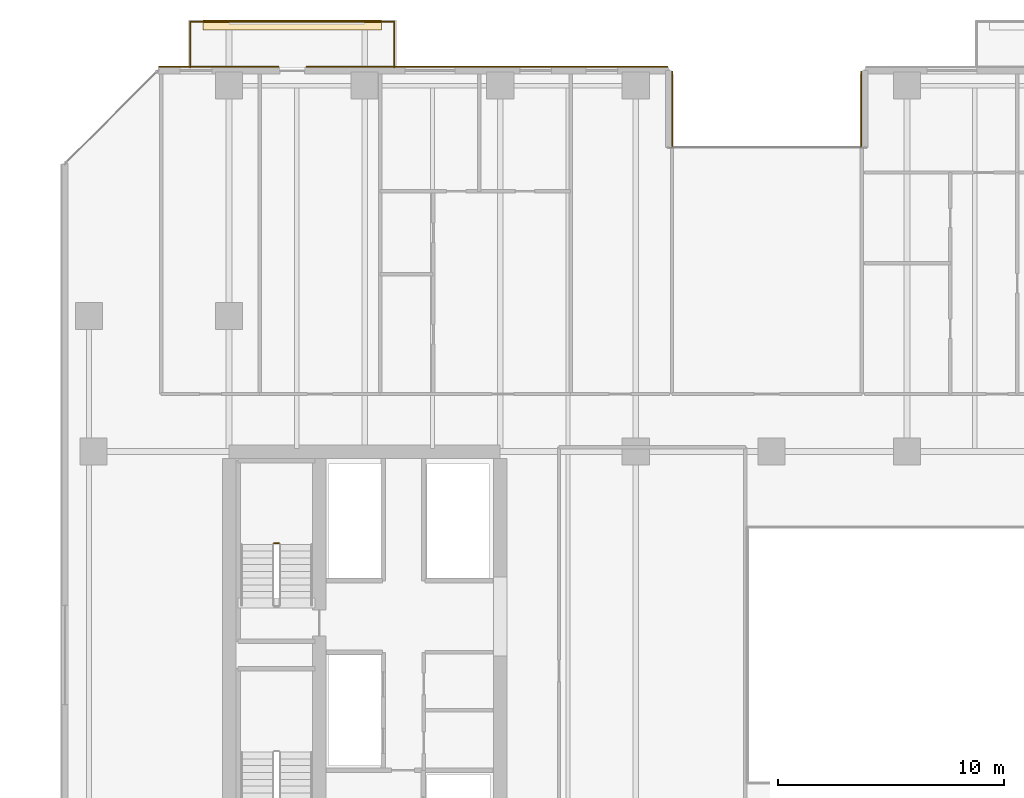
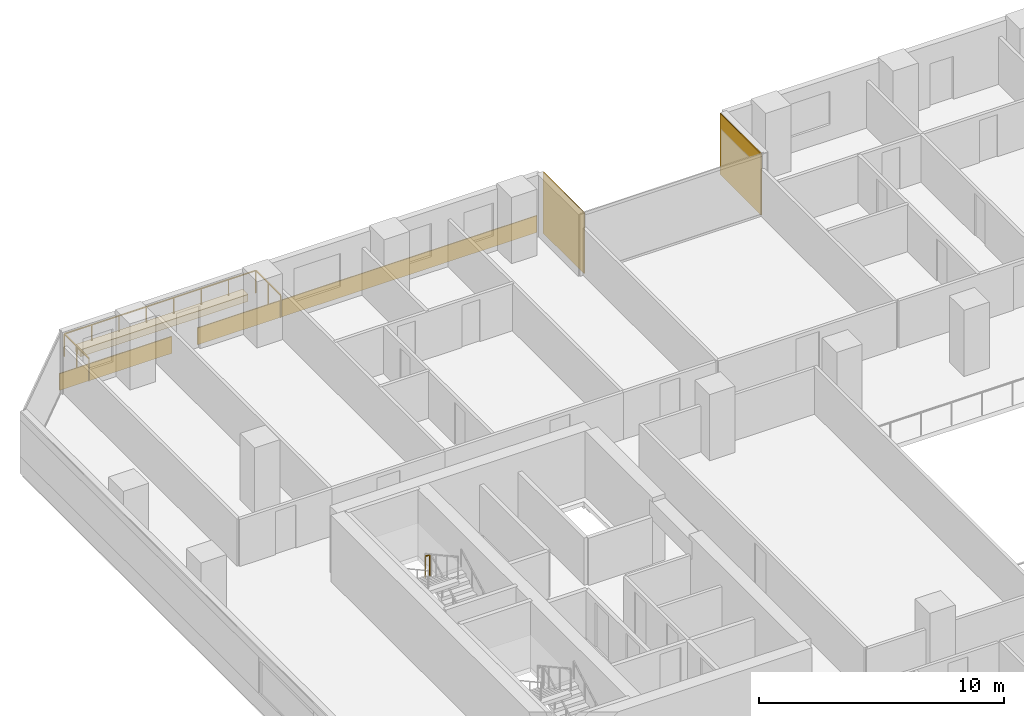
# One storey, part 29 of 33: 5 coverings, 2 railings.
"""IFC4 building model written with IfcOpenShell, lengths in metres."""

from ifc_helpers import new_model, si_unit, direction, frame, origin, origin_2d, place, context, subcontext, project, spatial, polyline, rectangle, outline, extrude, material, layer, layer_set, type_object, element, save


model = new_model("IFC4")

# Units and contexts
model_context = context("Model", 3, precision=1e-05, world=origin(), true_north=direction((0.0, 1.0)))
body_context = subcontext(model_context, "Body", "Model", "MODEL_VIEW")
ifc_project = project(units=[si_unit("LENGTHUNIT", "METRE"), si_unit("AREAUNIT", "SQUARE_METRE"), si_unit("VOLUMEUNIT", "CUBIC_METRE"), si_unit("PLANEANGLEUNIT", "RADIAN"), si_unit("MASSUNIT", "GRAM", prefix="KILO")], contexts=[model_context])

# Site, building, storey
site_placement = place(None, origin())
site = spatial("IfcSite", under=ifc_project, at=site_placement, CompositionType="ELEMENT")
building_placement = place(site_placement, origin())
building = spatial("IfcBuilding", under=site, at=building_placement, Name="Tanjung Sevakor Pilgrim Tower", CompositionType="ELEMENT")
storey_placement = place(building_placement, frame((0.0, 0.0, 38.93994140625)))
storey = spatial("IfcBuildingStorey", under=building, at=storey_placement, Name="L10", CompositionType="ELEMENT", Elevation=38.93994140625)

# Coverings
ifc_material_1 = material(Name="Reconstructed Limestone Cladding", Category="masonry")
ifc_layer_1 = layer(ifc_material_1, 0.044921875)
ifc_layer_set_1 = layer_set([ifc_layer_1], Name="COV-CLAD-LIMESTONE")
covering_type_1 = type_object("IfcCoveringType", Name="COV-CLAD-LIMESTONE", PredefinedType="CLADDING", material=ifc_layer_set_1)
for number, where, z_axis, x_axis, name in (
    (1, (51.9775390625, 57.760009765625, 0.02001953125), (0.0, 0.0, 1.0), (0.0, -1.0, 0.0), "L10 Warm Limestone Wall Cladding EW-L10-MAIN-10"),
    (2, (43.62255859375, 57.760009765625, 0.02001953125), (0.0, 0.0, 1.0), (0.0, 1.0, 0.0), "L10 Warm Limestone Wall Cladding EW-L10-MAIN-12"),
):
    element("IfcCovering", number, at=place(storey_placement, frame(where, z_axis=z_axis, x_axis=x_axis)), inside=storey, type_object=covering_type_1, Name=name, PredefinedType="CLADDING", context=body_context, shape_type="SweptSolid", body=[
        extrude(rectangle(XDim=3.360107421875, YDim=0.044921875, at=origin_2d()), origin(), (0.0, 0.0, 1.0), 3.0400390625),
    ])
covering_1_placement = place(storey_placement, frame((35.4150390625, 59.62255859375, 0.01025390625), z_axis=(0.0, 0.0, 1.0), x_axis=(-1.0, 0.0, 0.0)))
element("IfcCovering", 3, at=covering_1_placement, inside=storey, type_object=covering_type_1, Name="L10 Warm Limestone Sill Spandrel EW-L10-MAIN-13-1", PredefinedType="CLADDING", context=body_context, shape_type="SweptSolid", body=[
    extrude(rectangle(XDim=16.010009765625, YDim=0.044921875, at=origin_2d()), origin(), (0.0, 0.0, 1.0), 0.840087890625),
])
covering_2_placement = place(storey_placement, frame((23.5439453125, 59.62255859375, 0.01025390625), z_axis=(0.0, 0.0, 1.0), x_axis=(-1.0, 0.0, 0.0)))
element("IfcCovering", 4, at=covering_2_placement, inside=storey, type_object=covering_type_1, Name="L10 Warm Limestone Sill Spandrel EW-L10-MAIN-13-2", PredefinedType="CLADDING", context=body_context, shape_type="SweptSolid", body=[
    extrude(rectangle(XDim=5.2919921875, YDim=0.044921875, at=origin_2d()), origin(), (0.0, 0.0, 1.0), 0.840087890625),
])
ifc_material_2 = material(Name="Vegetated Modular Planter Assembly", Category="organic")
ifc_layer_2 = layer(ifc_material_2, 0.35009765625)
ifc_layer_set_2 = layer_set([ifc_layer_2], Name="COV-GRN-TROUGH")
covering_type_2 = type_object("IfcCoveringType", Name="COV-GRN-TROUGH", PredefinedType="CLADDING", material=ifc_layer_set_2)
covering_3_placement = place(storey_placement, origin())
element("IfcCovering", 5, at=covering_3_placement, inside=storey, type_object=covering_type_2, Name="L10 Planted Landscape Hedge Trough BGRN-L10-MAIN-N1", PredefinedType="CLADDING", context=body_context, shape_type="SweptSolid", body=[
    extrude(outline(polyline([(22.85009765625, 61.260009765625), (30.75, 61.260009765625), (30.75, 61.699951171875), (22.85009765625, 61.699951171875), (22.85009765625, 61.260009765625)])), origin(), (0.0, 0.0, 1.0), 0.35009765625),
])

# Railings
ifc_material_3 = material(Name="Laminated Glass and Aluminium", Category="aluminium")
railing_type_1 = type_object("IfcRailingType", Name="RL-BAL-BALUST", PredefinedType="BALUSTRADE", material=ifc_material_3)
railing_1_placement = place(storey_placement, frame((22.280029296875, 59.60009765625, 0.0)))
element("IfcRailing", 6, at=railing_1_placement, inside=storey, type_object=railing_type_1, Name="L10 Loggia Balustrade MAIN-N1", PredefinedType="BALUSTRADE", context=body_context, shape_type="SweptSolid", body=[
    extrude(rectangle(XDim=0.0479, YDim=0.0479), frame((0.0, 0.0, 1.1259765625), z_axis=(0.0, 1.0, 0.0), x_axis=(-1.0, 0.0, 0.0)), (0.0, 0.0, 1.0), 2.02001953125),
    extrude(rectangle(XDim=0.0479, YDim=0.0479), frame((0.0, 2.02001953125, 1.1259765625), z_axis=(1.0, 0.0, 0.0), x_axis=(0.0, 1.0, 0.0)), (0.0, 0.0, 1.0), 9.0400390625),
    extrude(rectangle(XDim=0.0479, YDim=0.0479), frame((9.0400390625, 2.02001953125, 1.1259765625), z_axis=(0.0, -1.0, 0.0), x_axis=(1.0, 0.0, 0.0)), (0.0, 0.0, 1.0), 2.02001953125),
    extrude(rectangle(XDim=0.042, YDim=0.042), origin(), (0.0, 0.0, 1.0), 1.101806640625),
    extrude(rectangle(XDim=0.042, YDim=0.042), frame((0.0, 1.010009765625, 0.0)), (0.0, 0.0, 1.0), 1.101806640625),
    extrude(rectangle(XDim=0.042, YDim=0.042), frame((0.0, 2.02001953125, 0.0)), (0.0, 0.0, 1.0), 1.101806640625),
    extrude(rectangle(XDim=0.042, YDim=0.042), frame((1.29150390625, 2.02001953125, 0.0)), (0.0, 0.0, 1.0), 1.101806640625),
    extrude(rectangle(XDim=0.042, YDim=0.042), frame((2.582763671875, 2.02001953125, 0.0)), (0.0, 0.0, 1.0), 1.101806640625),
    extrude(rectangle(XDim=0.042, YDim=0.042), frame((3.874267578125, 2.02001953125, 0.0)), (0.0, 0.0, 1.0), 1.101806640625),
    extrude(rectangle(XDim=0.042, YDim=0.042), frame((5.165771484375, 2.02001953125, 0.0)), (0.0, 0.0, 1.0), 1.101806640625),
    extrude(rectangle(XDim=0.042, YDim=0.042), frame((6.457275390625, 2.02001953125, 0.0)), (0.0, 0.0, 1.0), 1.101806640625),
    extrude(rectangle(XDim=0.042, YDim=0.042), frame((7.74853515625, 2.02001953125, 0.0)), (0.0, 0.0, 1.0), 1.101806640625),
    extrude(rectangle(XDim=0.042, YDim=0.042), frame((9.0400390625, 2.02001953125, 0.0)), (0.0, 0.0, 1.0), 1.101806640625),
    extrude(rectangle(XDim=0.042, YDim=0.042), frame((9.0400390625, 1.010009765625, 0.0)), (0.0, 0.0, 1.0), 1.101806640625),
    extrude(rectangle(XDim=0.042, YDim=0.042), frame((9.0400390625, 0.0, 0.0)), (0.0, 0.0, 1.0), 1.101806640625),
])
ifc_material_4 = material(Name="Steel S355J2", Category="steel")
railing_type_2 = type_object("IfcRailingType", Name="RL-STAIR-GUARD", PredefinedType="GUARDRAIL", material=ifc_material_4)
railing_2_placement = place(storey_placement, frame((26.199951171875, 38.550048828125, 1.650146484375)))
element("IfcRailing", 7, at=railing_2_placement, inside=storey, type_object=railing_type_2, Name="L10 TS-W2 stair guard 2", PredefinedType="GUARDRAIL", context=body_context, shape_type="SweptSolid", body=[
    extrude(rectangle(XDim=0.0479, YDim=0.0479), frame((0.0, 0.0, 1.076171875), z_axis=(-1.0, 0.0, 0.0), x_axis=(0.0, -1.0, 0.0)), (0.0, 0.0, 1.0), 0.199951171875),
    extrude(rectangle(XDim=0.042, YDim=0.042), origin(), (0.0, 0.0, 1.0), 1.052001953125),
    extrude(rectangle(XDim=0.042, YDim=0.042), frame((-0.199951171875, 0.0, 0.0)), (0.0, 0.0, 1.0), 1.052001953125),
])

save(model, "model.ifc")
